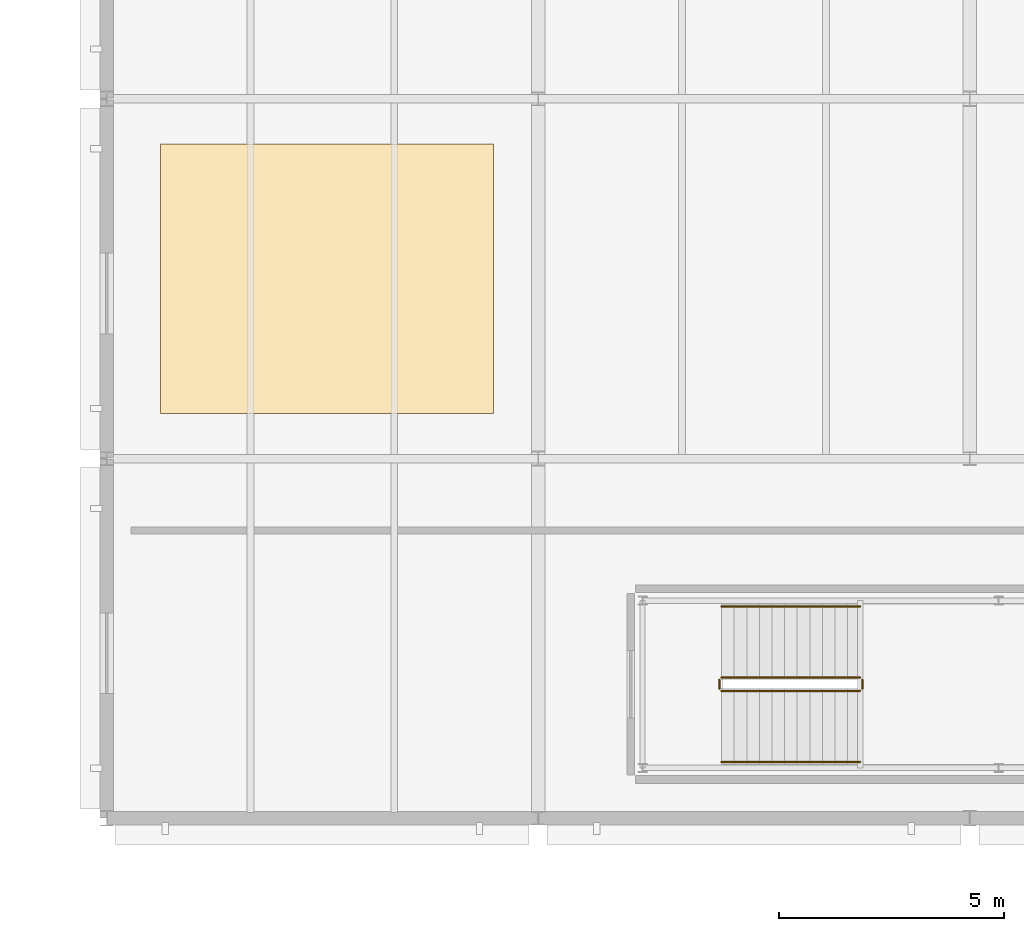
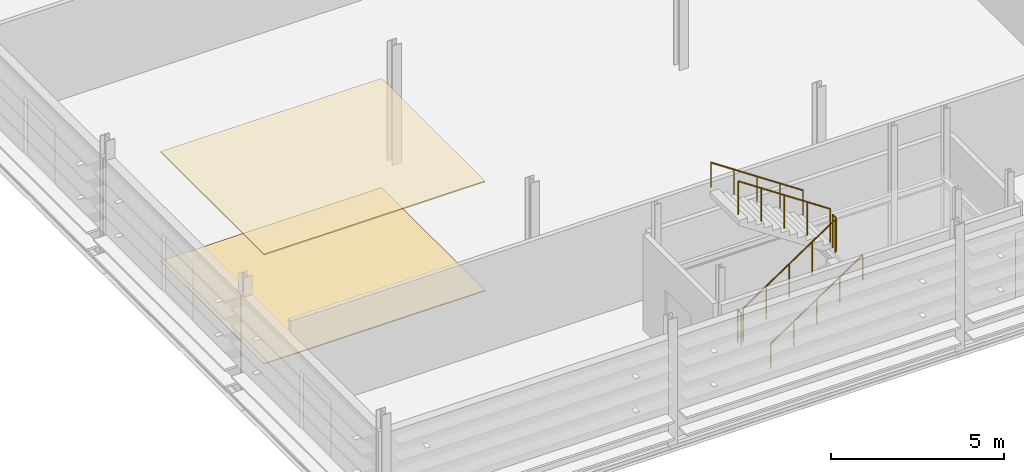
# One storey, part 66 of 73: 6 railings, 2 coverings.
"""IFC4 building model written with IfcOpenShell, lengths in metres."""

from ifc_helpers import new_model, si_unit, direction, frame, origin, origin_2d, place, context, subcontext, project, spatial, polyline, circle, outline, extrude, material, layer, layer_set, type_object, element, save


model = new_model("IFC4")

# Units and contexts
model_context = context("Model", 3, precision=1e-05, world=origin(), true_north=direction((0.0, 1.0)))
body_context = subcontext(model_context, "Body", "Model", "MODEL_VIEW")
ifc_project = project(units=[si_unit("LENGTHUNIT", "METRE"), si_unit("AREAUNIT", "SQUARE_METRE"), si_unit("VOLUMEUNIT", "CUBIC_METRE"), si_unit("PLANEANGLEUNIT", "RADIAN"), si_unit("MASSUNIT", "GRAM", prefix="KILO")], contexts=[model_context])

# Site, building, storey
site_placement = place(None, origin())
site = spatial("IfcSite", under=ifc_project, at=site_placement, CompositionType="ELEMENT")
building_placement = place(site_placement, origin())
building = spatial("IfcBuilding", under=site, at=building_placement, Name="Alderhovde Museum", CompositionType="ELEMENT")
storey_placement = place(building_placement, frame((0.0, 0.0, 12.89990234375)))
storey = spatial("IfcBuildingStorey", under=building, at=storey_placement, Name="L03", CompositionType="ELEMENT", Elevation=12.89990234375)

# Coverings
ifc_material_1 = material(Name="Perforated Gypsum Acoustic Ceiling")
ifc_layer_1 = layer(ifc_material_1, 0.0400390625)
ifc_layer_set_1 = layer_set([ifc_layer_1], Name="Perforated Gypsum Acoustic Ceiling")
covering_type_1 = type_object("IfcCoveringType", Name="COV-CEIL-ACOU", PredefinedType="CEILING", material=ifc_layer_set_1)
covering_1_placement = place(storey_placement, frame((0.0, 0.0, 3.860107421875)))
element("IfcCovering", 1, at=covering_1_placement, inside=storey, type_object=covering_type_1, Name="L03 Acoustic Gallery Ceiling 7", PredefinedType="CEILING", context=body_context, shape_type="SweptSolid", body=[
    extrude(outline(polyline([(10.800048828125, 57.0), (18.199951171875, 57.0), (18.199951171875, 63.0), (10.800048828125, 63.0), (10.800048828125, 57.0)])), origin(), (0.0, 0.0, 1.0), 0.0400390625),
])
ifc_material_2 = material(Name="Honed Nordic Granite Terrazzo Flooring", Category="masonry")
ifc_layer_2 = layer(ifc_material_2, 0.030029296875)
ifc_layer_set_2 = layer_set([ifc_layer_2], Name="Honed Nordic Granite Terrazzo Flooring")
covering_type_2 = type_object("IfcCoveringType", Name="COV-FLR-TERRAZZO", PredefinedType="FLOORING", material=ifc_layer_set_2)
covering_2_placement = place(storey_placement, origin())
element("IfcCovering", 2, at=covering_2_placement, inside=storey, type_object=covering_type_2, Name="L03 Granite Terrazzo Flooring 7", PredefinedType="FLOORING", context=body_context, shape_type="SweptSolid", body=[
    extrude(outline(polyline([(10.800048828125, 57.0), (18.199951171875, 57.0), (18.199951171875, 63.0), (10.800048828125, 63.0), (10.800048828125, 57.0)])), origin(), (0.0, 0.0, 1.0), 0.030029296875),
])

# Railings
ifc_material_3 = material(Name="Painted Steel S355 Guardrail", Category="steel")
railing_type_1 = type_object("IfcRailingType", Name="RL-GUARD-1200", PredefinedType="GUARDRAIL", material=ifc_material_3)
railing_1_placement = place(storey_placement, frame((23.280029296875, 50.830078125, 0.1875)))
element("IfcRailing", 3, at=railing_1_placement, inside=storey, type_object=railing_type_1, Name="L03 ST1 stair guard 1", PredefinedType="GUARDRAIL", context=body_context, shape_type="SweptSolid", body=[
    extrude(circle(Radius=0.02392578125, at=origin_2d()), frame((0.0, 0.0, 1.17578125), z_axis=(0.830913701846, 0.0, 0.55640131208), x_axis=(0.0, 1.0, 0.0)), (0.0, 0.0, 1.0), 3.706787109375),
    extrude(circle(Radius=0.02099609375, at=origin_2d()), origin(), (0.0, 0.0, 1.0), 1.15185546875),
    extrude(circle(Radius=0.02099609375, at=origin_2d()), frame((0.77001953125, 0.0, 0.515625)), (0.0, 0.0, 1.0), 1.15185546875),
    extrude(circle(Radius=0.02099609375, at=origin_2d()), frame((1.5400390625, 0.0, 1.03125)), (0.0, 0.0, 1.0), 1.15185546875),
    extrude(circle(Radius=0.02099609375, at=origin_2d()), frame((2.31005859375, 0.0, 1.546875)), (0.0, 0.0, 1.0), 1.15185546875),
    extrude(circle(Radius=0.02099609375, at=origin_2d()), frame((3.080078125, 0.0, 2.0625)), (0.0, 0.0, 1.0), 1.15185546875),
])
railing_2_placement = place(storey_placement, frame((26.409912109375, 50.8798828125, 2.25)))
element("IfcRailing", 4, at=railing_2_placement, inside=storey, type_object=railing_type_1, Name="L03 ST1 stair guard 2", PredefinedType="GUARDRAIL", context=body_context, shape_type="SweptSolid", body=[
    extrude(circle(Radius=0.02392578125, at=origin_2d()), frame((0.0, 0.0, 1.17578125), z_axis=(0.0, 1.0, 0.0), x_axis=(-1.0, 0.0, 0.0)), (0.0, 0.0, 1.0), 0.2001953125),
    extrude(circle(Radius=0.02099609375, at=origin_2d()), origin(), (0.0, 0.0, 1.0), 1.15185546875),
    extrude(circle(Radius=0.02099609375, at=origin_2d()), frame((0.0, 0.2001953125, 0.0)), (0.0, 0.0, 1.0), 1.15185546875),
])
railing_3_placement = place(storey_placement, frame((26.360107421875, 51.1298828125, 2.4375)))
element("IfcRailing", 5, at=railing_3_placement, inside=storey, type_object=railing_type_1, Name="L03 ST1 stair guard 3", PredefinedType="GUARDRAIL", context=body_context, shape_type="SweptSolid", body=[
    extrude(circle(Radius=0.02392578125, at=origin_2d()), frame((0.0, 0.0, 1.17578125), z_axis=(-0.830913701846, 0.0, 0.55640131208), x_axis=(0.0, -1.0, 0.0)), (0.0, 0.0, 1.0), 3.706787109375),
    extrude(circle(Radius=0.02099609375, at=origin_2d()), origin(), (0.0, 0.0, 1.0), 1.15185546875),
    extrude(circle(Radius=0.02099609375, at=origin_2d()), frame((-0.77001953125, 0.0, 0.515625)), (0.0, 0.0, 1.0), 1.15185546875),
    extrude(circle(Radius=0.02099609375, at=origin_2d()), frame((-1.5400390625, 0.0, 1.03125)), (0.0, 0.0, 1.0), 1.15185546875),
    extrude(circle(Radius=0.02099609375, at=origin_2d()), frame((-2.31005859375, 0.0, 1.546875)), (0.0, 0.0, 1.0), 1.15185546875),
    extrude(circle(Radius=0.02099609375, at=origin_2d()), frame((-3.080078125, 0.0, 2.0625)), (0.0, 0.0, 1.0), 1.15185546875),
])
railing_4_placement = place(storey_placement, frame((23.22998046875, 50.8798828125, 0.0)))
element("IfcRailing", 6, at=railing_4_placement, inside=storey, type_object=railing_type_1, Name="L03 ST1 stair guard 4", PredefinedType="GUARDRAIL", context=body_context, shape_type="SweptSolid", body=[
    extrude(circle(Radius=0.02392578125, at=origin_2d()), frame((0.0, 0.0, 1.17578125), z_axis=(0.0, 1.0, 0.0), x_axis=(-1.0, 0.0, 0.0)), (0.0, 0.0, 1.0), 0.2001953125),
    extrude(circle(Radius=0.02099609375, at=origin_2d()), origin(), (0.0, 0.0, 1.0), 1.15185546875),
    extrude(circle(Radius=0.02099609375, at=origin_2d()), frame((0.0, 0.2001953125, 0.0)), (0.0, 0.0, 1.0), 1.15185546875),
])
ifc_material_4 = material(Name="Brushed Stainless Steel Handrail", Category="steel")
railing_type_2 = type_object("IfcRailingType", Name="RL-HANDRAIL-900", PredefinedType="HANDRAIL", material=ifc_material_4)
railing_5_placement = place(storey_placement, frame((23.280029296875, 49.25, 0.1875)))
element("IfcRailing", 7, at=railing_5_placement, inside=storey, type_object=railing_type_2, Name="L03 ST1 stair handrail 1", PredefinedType="HANDRAIL", context=body_context, shape_type="SweptSolid", body=[
    extrude(circle(Radius=0.02392578125, at=origin_2d()), frame((0.0, 0.0, 0.8759765625), z_axis=(0.830913701846, 0.0, 0.55640131208), x_axis=(0.0, 1.0, 0.0)), (0.0, 0.0, 1.0), 3.706787109375),
    extrude(circle(Radius=0.02099609375, at=origin_2d()), origin(), (0.0, 0.0, 1.0), 0.851806640625),
    extrude(circle(Radius=0.02099609375, at=origin_2d()), frame((0.77001953125, 0.0, 0.515625)), (0.0, 0.0, 1.0), 0.851806640625),
    extrude(circle(Radius=0.02099609375, at=origin_2d()), frame((1.5400390625, 0.0, 1.03125)), (0.0, 0.0, 1.0), 0.851806640625),
    extrude(circle(Radius=0.02099609375, at=origin_2d()), frame((2.31005859375, 0.0, 1.546875)), (0.0, 0.0, 1.0), 0.851806640625),
    extrude(circle(Radius=0.02099609375, at=origin_2d()), frame((3.080078125, 0.0, 2.0625)), (0.0, 0.0, 1.0), 0.851806640625),
])
railing_6_placement = place(storey_placement, frame((26.360107421875, 52.7099609375, 2.4375)))
element("IfcRailing", 8, at=railing_6_placement, inside=storey, type_object=railing_type_2, Name="L03 ST1 stair handrail 2", PredefinedType="HANDRAIL", context=body_context, shape_type="SweptSolid", body=[
    extrude(circle(Radius=0.02392578125, at=origin_2d()), frame((0.0, 0.0, 0.8759765625), z_axis=(-0.830913701846, 0.0, 0.55640131208), x_axis=(0.0, -1.0, 0.0)), (0.0, 0.0, 1.0), 3.706787109375),
    extrude(circle(Radius=0.02099609375, at=origin_2d()), origin(), (0.0, 0.0, 1.0), 0.851806640625),
    extrude(circle(Radius=0.02099609375, at=origin_2d()), frame((-0.77001953125, 0.0, 0.515625)), (0.0, 0.0, 1.0), 0.851806640625),
    extrude(circle(Radius=0.02099609375, at=origin_2d()), frame((-1.5400390625, 0.0, 1.03125)), (0.0, 0.0, 1.0), 0.851806640625),
    extrude(circle(Radius=0.02099609375, at=origin_2d()), frame((-2.31005859375, 0.0, 1.546875)), (0.0, 0.0, 1.0), 0.851806640625),
    extrude(circle(Radius=0.02099609375, at=origin_2d()), frame((-3.080078125, 0.0, 2.0625)), (0.0, 0.0, 1.0), 0.851806640625),
])

save(model, "model.ifc")
